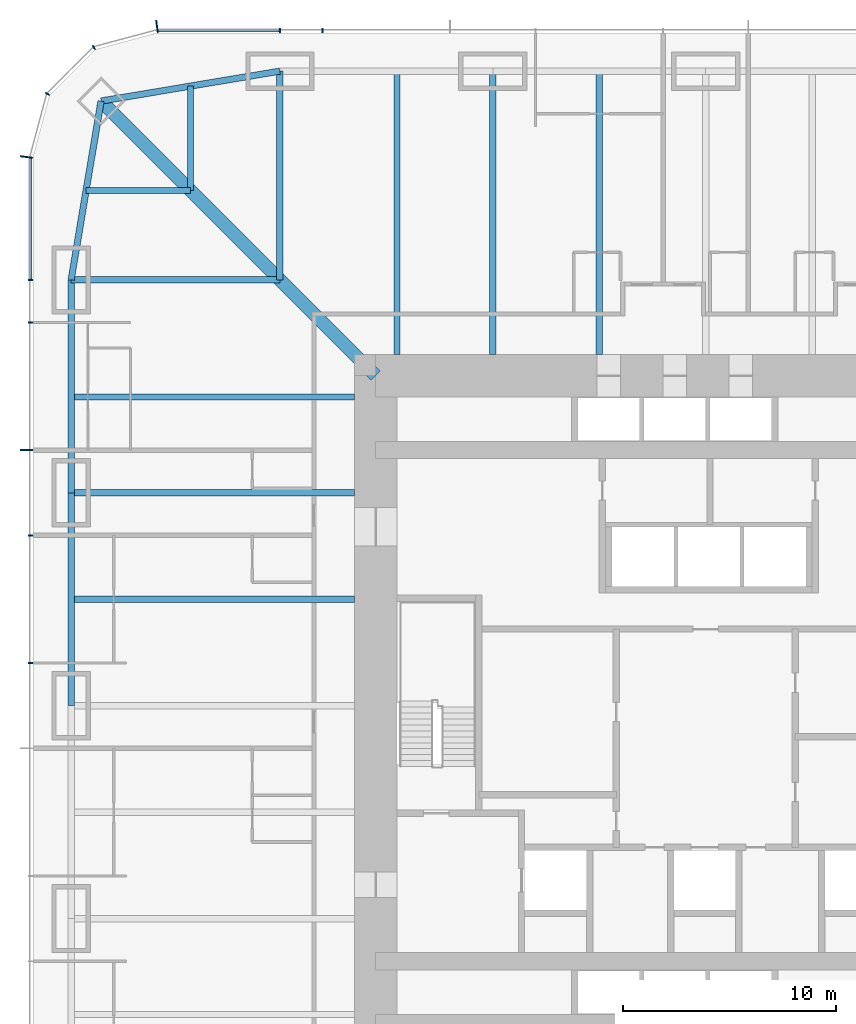
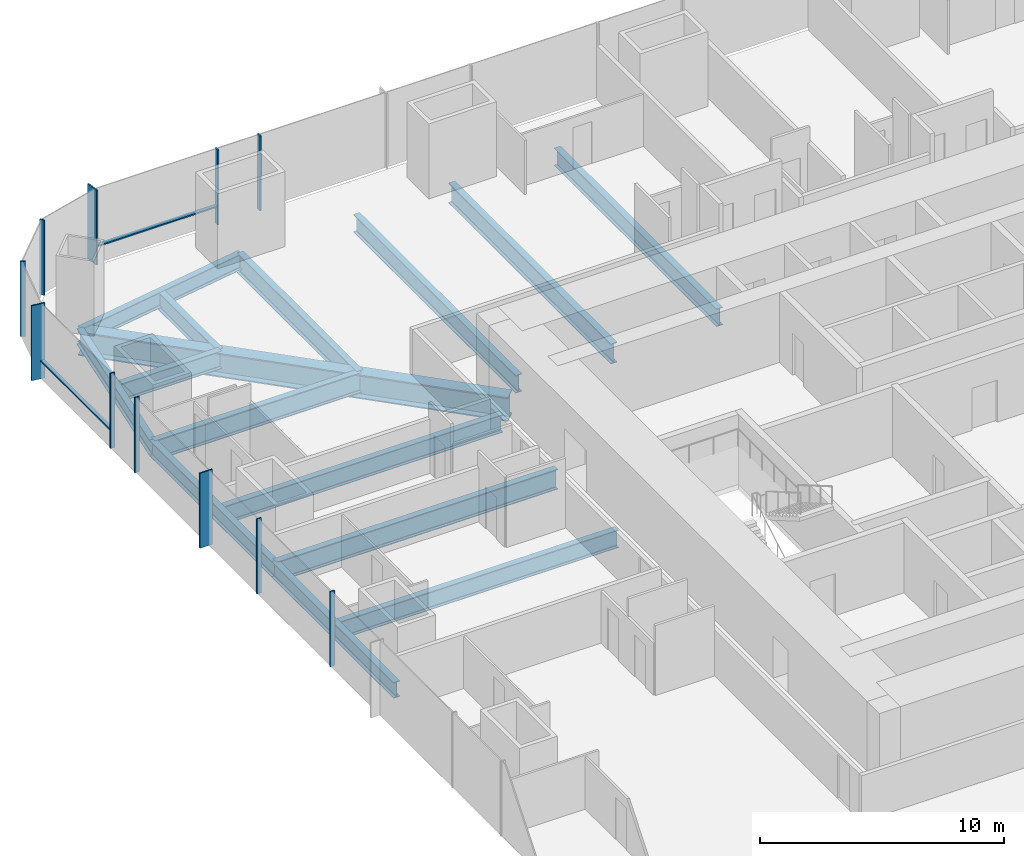
# One storey, part 6 of 17: 15 beams, 13 members, 3 elements without a shape of their own.
"""IFC4 building model written with IfcOpenShell, lengths in metres."""

from ifc_helpers import new_model, si_unit, direction, frame, origin, origin_2d, place, context, subcontext, project, spatial, rectangle, i_section, extrude, material, material_profile, profile_set, type_object, element, aggregate, save


model = new_model("IFC4")

# Units and contexts
model_context = context("Model", 3, precision=1e-05, world=origin(), true_north=direction((0.0, 1.0)))
body_context = subcontext(model_context, "Body", "Model", "MODEL_VIEW")
ifc_project = project(units=[si_unit("LENGTHUNIT", "METRE"), si_unit("AREAUNIT", "SQUARE_METRE"), si_unit("VOLUMEUNIT", "CUBIC_METRE"), si_unit("PLANEANGLEUNIT", "RADIAN"), si_unit("MASSUNIT", "GRAM", prefix="KILO")], contexts=[model_context])

# Site, building, storey
site_placement = place(None, origin())
site = spatial("IfcSite", under=ifc_project, at=site_placement, CompositionType="ELEMENT")
building_placement = place(site_placement, origin())
building = spatial("IfcBuilding", under=site, at=building_placement, Name="Khuree Lantern Residences", CompositionType="ELEMENT")
storey_placement = place(building_placement, frame((0.0, 0.0, 47.25)))
storey = spatial("IfcBuildingStorey", under=building, at=storey_placement, Name="L11", CompositionType="ELEMENT", Elevation=47.25)

# Beams
ifc_material_1 = material(Name="Steel S355", Category="steel")
ifc_material_profile_1 = material_profile(ifc_material_1, i_section(OverallWidth=0.300048828125, OverallDepth=0.889892578125, WebThickness=0.01611328125, FlangeThickness=0.030029296875, FilletRadius=0.030029296875, at=origin_2d()), Name="HE 900 A")
ifc_profile_set_1 = profile_set([ifc_material_profile_1], Name="Steel S355")
beam_type_1 = type_object("IfcBeamType", Name="B-12 SECONDARY BEAM HE 900 A", PredefinedType="BEAM", material=ifc_profile_set_1)
for number, where, z_axis, x_axis, name in (
    (1, (-14.5, 29.800048828125, -0.695068359375), (0.0, -1.0, 0.0), (1.0, 0.0, 0.0), "Secondary beam N1"),
    (2, (-5.0, 29.800048828125, -0.695068359375), (0.0, -1.0, 0.0), (1.0, 0.0, 0.0), "Secondary beam N2"),
    (3, (-29.800048828125, 5.0, -0.695068359375), (1.0, 0.0, 0.0), (0.0, 1.0, 0.0), "Secondary beam W4"),
    (4, (-29.800048828125, 14.5, -0.695068359375), (1.0, 0.0, 0.0), (0.0, 1.0, 0.0), "Secondary beam W5"),
):
    element("IfcBeam", number, at=place(storey_placement, frame(where, z_axis=z_axis, x_axis=x_axis)), inside=storey, type_object=beam_type_1, Name=name, PredefinedType="BEAM", context=body_context, shape_type="SweptSolid", body=[
        extrude(i_section(OverallWidth=0.300048828125, OverallDepth=0.889892578125, WebThickness=0.01611328125, FlangeThickness=0.030029296875, FilletRadius=0.030029296875, at=origin_2d()), origin(), (0.0, 0.0, 1.0), 13.300048828125),
    ])
for number, where, z_axis, x_axis, name in (
    (5, (-29.09716796875, 24.197021484375, -0.695068359375), (1.0, 0.0, 0.0), (0.0, 1.0, 0.0), "Secondary beam W6"),
    (6, (-24.197021484375, 29.09716796875, -0.695068359375), (0.0, -1.0, 0.0), (1.0, 0.0, 0.0), "Secondary beam N6"),
):
    element("IfcBeam", number, at=place(storey_placement, frame(where, z_axis=z_axis, x_axis=x_axis)), inside=storey, type_object=beam_type_1, Name=name, PredefinedType="BEAM", context=body_context, shape_type="SweptSolid", body=[
        extrude(i_section(OverallWidth=0.300048828125, OverallDepth=0.889892578125, WebThickness=0.01611328125, FlangeThickness=0.030029296875, FilletRadius=0.030029296875, at=origin_2d()), origin(), (0.0, 0.0, 1.0), 4.900146484375),
    ])
ifc_material_profile_2 = material_profile(ifc_material_1, i_section(OverallWidth=0.300048828125, OverallDepth=0.7900390625, WebThickness=0.014892578125, FlangeThickness=0.028076171875, FilletRadius=0.030029296875, at=origin_2d()), Name="HE 800 A")
ifc_profile_set_2 = profile_set([ifc_material_profile_2], Name="Steel S355")
beam_type_2 = type_object("IfcBeamType", Name="E-12 SPANDREL BEAM HE 800 A", PredefinedType="SPANDREL", material=ifc_profile_set_2)
for number, where, z_axis, x_axis, name in (
    (7, (-29.800048828125, 0.0, -0.64501953125), (0.0, 1.0, 0.0), (-1.0, 0.0, 0.0), "Spandrel beam W4"),
    (8, (-29.800048828125, 10.0, -0.64501953125), (0.0, 1.0, 0.0), (-1.0, 0.0, 0.0), "Spandrel beam W5"),
):
    element("IfcBeam", number, at=place(storey_placement, frame(where, z_axis=z_axis, x_axis=x_axis)), inside=storey, type_object=beam_type_2, Name=name, PredefinedType="SPANDREL", context=body_context, shape_type="SweptSolid", body=[
        extrude(i_section(OverallWidth=0.300048828125, OverallDepth=0.7900390625, WebThickness=0.014892578125, FlangeThickness=0.028076171875, FilletRadius=0.030029296875, at=origin_2d()), origin(), (0.0, 0.0, 1.0), 10.0),
    ])
for number, where, z_axis, x_axis, name in (
    (9, (-29.800048828125, 20.0, -0.64501953125), (0.165199022349, 0.986260251158, 0.0), (-0.986260251158, 0.165199022349, 0.0), "Spandrel beam W6"),
    (10, (-28.39404296875, 28.39404296875, -0.64501953125), (0.986260251158, 0.165199022349, 0.0), (-0.165199022349, 0.986260251158, 0.0), "Spandrel beam N6"),
):
    element("IfcBeam", number, at=place(storey_placement, frame(where, z_axis=z_axis, x_axis=x_axis)), inside=storey, type_object=beam_type_2, Name=name, PredefinedType="SPANDREL", context=body_context, shape_type="SweptSolid", body=[
        extrude(i_section(OverallWidth=0.300048828125, OverallDepth=0.7900390625, WebThickness=0.014892578125, FlangeThickness=0.028076171875, FilletRadius=0.030029296875, at=origin_2d()), origin(), (0.0, 0.0, 1.0), 8.510986328125),
    ])

# Curtain wall, member
ifc_material_2 = material(Name="Bronze anodised aluminium", Category="aluminium")
curtain_wall_type_1 = type_object("IfcCurtainWallType", Name="CW-T2 TOWER CORNER CURTAIN WALL", PredefinedType="USERDEFINED", material=ifc_material_2)
curtain_wall_1_placement = place(storey_placement, origin())
curtain_wall_1 = element("IfcCurtainWall", 11, at=curtain_wall_1_placement, inside=storey, type_object=curtain_wall_type_1, Name="L11 NORTH-WEST CORNER CURTAIN WALL", ObjectType="Faceted corner curtain wall", PredefinedType="USERDEFINED")
ifc_material_profile_3 = material_profile(ifc_material_2, rectangle(XDim=0.06494140625, YDim=0.60009765625, at=origin_2d()), Name="F1 65X600")
ifc_profile_set_3 = profile_set([ifc_material_profile_3], Name="Bronze anodised aluminium")
member_type_1 = type_object("IfcMemberType", Name="F1 BRONZE FIN MULLION TOWER 65X600", PredefinedType="MULLION", material=ifc_profile_set_3)
member_1_placement = place(storey_placement, frame((-25.769775390625, 31.900146484375, 0.0), z_axis=(0.0, 0.0, 1.0), x_axis=(-0.991444852794, -0.130526257387, 0.0)))
member_1 = element("IfcMember", 12, at=member_1_placement, type_object=member_type_1, Name="L11 NORTH-WEST CORNER FIN MULLION 29", PredefinedType="MULLION", context=body_context, shape_type="SweptSolid", body=[
    extrude(rectangle(XDim=0.06494140625, YDim=0.60009765625, at=origin_2d()), origin(), (0.0, 0.0, 1.0), 3.75),
])

# Curtain wall, members
curtain_wall_type_2 = type_object("IfcCurtainWallType", Name="CW-T1 TOWER FACE CURTAIN WALL", PredefinedType="USERDEFINED", material=ifc_material_2)
curtain_wall_2_placement = place(storey_placement, origin())
curtain_wall_2 = element("IfcCurtainWall", 13, at=curtain_wall_2_placement, inside=storey, type_object=curtain_wall_type_2, Name="L11 WEST FACE CURTAIN WALL", ObjectType="Stick-built curtain wall", PredefinedType="USERDEFINED")
member_2_placement = place(storey_placement, frame((-31.900146484375, 25.769775390625, 0.0), z_axis=(0.0, 0.0, 1.0), x_axis=(-0.130526257387, -0.991444852794, 0.0)))
member_2 = element("IfcMember", 14, at=member_2_placement, type_object=member_type_1, Name="L11 WEST FACE FIN MULLION 32", PredefinedType="MULLION", context=body_context, shape_type="SweptSolid", body=[
    extrude(rectangle(XDim=0.06494140625, YDim=0.60009765625, at=origin_2d()), origin(), (0.0, 0.0, 1.0), 3.75),
])
member_3_placement = place(storey_placement, frame((-31.89990234375, 12.0, 0.0), z_axis=(0.0, 0.0, 1.0), x_axis=(0.0, -1.0, 0.0)))
member_3 = element("IfcMember", 15, at=member_3_placement, type_object=member_type_1, Name="L11 WEST FACE FIN MULLION 35", PredefinedType="MULLION", context=body_context, shape_type="SweptSolid", body=[
    extrude(rectangle(XDim=0.06494140625, YDim=0.60009765625, at=origin_2d()), origin(), (0.0, 0.0, 1.0), 3.75),
])

# Beams
ifc_material_profile_4 = material_profile(ifc_material_1, i_section(OverallWidth=0.302001953125, OverallDepth=1.008056640625, WebThickness=0.02099609375, FlangeThickness=0.0400390625, FilletRadius=0.030029296875, at=origin_2d()), Name="HE 1000 M")
ifc_profile_set_4 = profile_set([ifc_material_profile_4], Name="Steel S355")
beam_type_3 = type_object("IfcBeamType", Name="G-12 GIRDER HE 1000 M", PredefinedType="BEAM", material=ifc_profile_set_4)
beam_1_placement = place(storey_placement, frame((-20.0, 29.800048828125, -0.75390625), z_axis=(0.0, -1.0, 0.0), x_axis=(1.0, 0.0, 0.0)))
element("IfcBeam", 16, at=beam_1_placement, inside=storey, type_object=beam_type_3, Name="Girder N1", PredefinedType="BEAM", context=body_context, shape_type="SweptSolid", body=[
    extrude(i_section(OverallWidth=0.302001953125, OverallDepth=1.008056640625, WebThickness=0.02099609375, FlangeThickness=0.0400390625, FilletRadius=0.030029296875, at=origin_2d()), origin(), (0.0, 0.0, 1.0), 9.800048828125),
])
for number, where, z_axis, x_axis, name in (
    (17, (-10.0, 29.800048828125, -0.75390625), (0.0, -1.0, 0.0), (1.0, 0.0, 0.0), "Girder N2"),
    (18, (-29.800048828125, 10.0, -0.75390625), (1.0, 0.0, 0.0), (0.0, 1.0, 0.0), "Girder W4"),
):
    element("IfcBeam", number, at=place(storey_placement, frame(where, z_axis=z_axis, x_axis=x_axis)), inside=storey, type_object=beam_type_3, Name=name, PredefinedType="BEAM", context=body_context, shape_type="SweptSolid", body=[
        extrude(i_section(OverallWidth=0.302001953125, OverallDepth=1.008056640625, WebThickness=0.02099609375, FlangeThickness=0.0400390625, FilletRadius=0.030029296875, at=origin_2d()), origin(), (0.0, 0.0, 1.0), 13.300048828125),
    ])
beam_2_placement = place(storey_placement, frame((-29.800048828125, 20.0, -0.75390625), z_axis=(1.0, 0.0, 0.0), x_axis=(0.0, 1.0, 0.0)))
element("IfcBeam", 19, at=beam_2_placement, inside=storey, type_object=beam_type_3, Name="Girder W5", PredefinedType="BEAM", context=body_context, shape_type="SweptSolid", body=[
    extrude(i_section(OverallWidth=0.302001953125, OverallDepth=1.008056640625, WebThickness=0.02099609375, FlangeThickness=0.0400390625, FilletRadius=0.030029296875, at=origin_2d()), origin(), (0.0, 0.0, 1.0), 9.800048828125),
])
ifc_material_profile_5 = material_profile(ifc_material_1, i_section(OverallWidth=0.60009765625, OverallDepth=1.199951171875, WebThickness=0.030029296875, FlangeThickness=0.06005859375, at=origin_2d()), Name="WELDED I 1200X600X30X60")
ifc_profile_set_5 = profile_set([ifc_material_profile_5], Name="Steel S355")
beam_type_4 = type_object("IfcBeamType", Name="GD-12 CORNER GIRDER WELDED I 1200X600X30X60", PredefinedType="BEAM", material=ifc_profile_set_5)
beam_3_placement = place(storey_placement, frame((-28.39404296875, 28.39404296875, -0.85009765625), z_axis=(0.707106781187, -0.707106781187, 0.0), x_axis=(0.707106781187, 0.707106781187, 0.0)))
element("IfcBeam", 20, at=beam_3_placement, inside=storey, type_object=beam_type_4, Name="Corner girder NW", PredefinedType="BEAM", context=body_context, shape_type="SweptSolid", body=[
    extrude(i_section(OverallWidth=0.60009765625, OverallDepth=1.199951171875, WebThickness=0.030029296875, FlangeThickness=0.06005859375, at=origin_2d()), origin(), (0.0, 0.0, 1.0), 18.23486328125),
])

# Curtain wall, members
curtain_wall_3_placement = place(storey_placement, origin())
curtain_wall_3 = element("IfcCurtainWall", 21, at=curtain_wall_3_placement, inside=storey, type_object=curtain_wall_type_2, Name="L11 NORTH FACE CURTAIN WALL", ObjectType="Stick-built curtain wall", PredefinedType="USERDEFINED")
ifc_material_profile_6 = material_profile(ifc_material_2, rectangle(XDim=0.06494140625, YDim=0.219970703125, at=origin_2d()), Name="M1 65X220")
ifc_profile_set_6 = profile_set([ifc_material_profile_6], Name="Bronze anodised aluminium")
member_type_2 = type_object("IfcMemberType", Name="M1 BRONZE MULLION TOWER 65X220", PredefinedType="MULLION", material=ifc_profile_set_6)
member_4_placement = place(storey_placement, frame((-18.0, 31.7099609375, 0.0), z_axis=(0.0, 0.0, 1.0), x_axis=(-1.0, 0.0, 0.0)))
member_4 = element("IfcMember", 22, at=member_4_placement, type_object=member_type_2, Name="L11 NORTH FACE MULLION 27", PredefinedType="MULLION", context=body_context, shape_type="SweptSolid", body=[
    extrude(rectangle(XDim=0.06494140625, YDim=0.219970703125, at=origin_2d()), origin(), (0.0, 0.0, 1.0), 3.75),
])
member_5_placement = place(storey_placement, frame((-20.0, 31.7099609375, 0.0), z_axis=(0.0, 0.0, 1.0), x_axis=(-1.0, 0.0, 0.0)))
member_5 = element("IfcMember", 23, at=member_5_placement, type_object=member_type_2, Name="L11 NORTH FACE MULLION 28", PredefinedType="MULLION", context=body_context, shape_type="SweptSolid", body=[
    extrude(rectangle(XDim=0.06494140625, YDim=0.219970703125, at=origin_2d()), origin(), (0.0, 0.0, 1.0), 3.75),
])

# Member
member_6_placement = place(storey_placement, frame((-28.72998046875, 30.91162109375, 0.0), z_axis=(0.0, 0.0, 1.0), x_axis=(-0.86602537092, -0.500000056923, 0.0)))
member_6 = element("IfcMember", 24, at=member_6_placement, type_object=member_type_2, Name="L11 NORTH-WEST CORNER MULLION 30", PredefinedType="MULLION", context=body_context, shape_type="SweptSolid", body=[
    extrude(rectangle(XDim=0.06494140625, YDim=0.219970703125, at=origin_2d()), origin(), (0.0, 0.0, 1.0), 3.75),
])

member_7_placement = place(storey_placement, frame((-30.91162109375, 28.72998046875, 0.0), z_axis=(0.0, 0.0, 1.0), x_axis=(-0.500000056923, -0.86602537092, 0.0)))
member_7 = element("IfcMember", 25, at=member_7_placement, type_object=member_type_2, Name="L11 NORTH-WEST CORNER MULLION 31", PredefinedType="MULLION", context=body_context, shape_type="SweptSolid", body=[
    extrude(rectangle(XDim=0.06494140625, YDim=0.219970703125, at=origin_2d()), origin(), (0.0, 0.0, 1.0), 3.75),
])

aggregate(curtain_wall_1, [member_1, member_6, member_7])

member_8_placement = place(storey_placement, frame((-31.7099609375, 20.0, 0.0), z_axis=(0.0, 0.0, 1.0), x_axis=(0.0, -1.0, 0.0)))
member_8 = element("IfcMember", 26, at=member_8_placement, type_object=member_type_2, Name="L11 WEST FACE MULLION 33", PredefinedType="MULLION", context=body_context, shape_type="SweptSolid", body=[
    extrude(rectangle(XDim=0.06494140625, YDim=0.219970703125, at=origin_2d()), origin(), (0.0, 0.0, 1.0), 3.75),
])

member_9_placement = place(storey_placement, frame((-31.7099609375, 18.0, 0.0), z_axis=(0.0, 0.0, 1.0), x_axis=(0.0, -1.0, 0.0)))
member_9 = element("IfcMember", 27, at=member_9_placement, type_object=member_type_2, Name="L11 WEST FACE MULLION 34", PredefinedType="MULLION", context=body_context, shape_type="SweptSolid", body=[
    extrude(rectangle(XDim=0.06494140625, YDim=0.219970703125, at=origin_2d()), origin(), (0.0, 0.0, 1.0), 3.75),
])

member_10_placement = place(storey_placement, frame((-31.7099609375, 8.0, 0.0), z_axis=(0.0, 0.0, 1.0), x_axis=(0.0, -1.0, 0.0)))
member_10 = element("IfcMember", 28, at=member_10_placement, type_object=member_type_2, Name="L11 WEST FACE MULLION 36", PredefinedType="MULLION", context=body_context, shape_type="SweptSolid", body=[
    extrude(rectangle(XDim=0.06494140625, YDim=0.219970703125, at=origin_2d()), origin(), (0.0, 0.0, 1.0), 3.75),
])

member_11_placement = place(storey_placement, frame((-31.7099609375, 2.0, 0.0), z_axis=(0.0, 0.0, 1.0), x_axis=(0.0, -1.0, 0.0)))
member_11 = element("IfcMember", 29, at=member_11_placement, type_object=member_type_2, Name="L11 WEST FACE MULLION 37", PredefinedType="MULLION", context=body_context, shape_type="SweptSolid", body=[
    extrude(rectangle(XDim=0.06494140625, YDim=0.219970703125, at=origin_2d()), origin(), (0.0, 0.0, 1.0), 3.75),
])

ifc_material_profile_7 = material_profile(ifc_material_2, rectangle(XDim=0.179931640625, YDim=0.06494140625, at=origin_2d()), Name="T1 180X65")
ifc_profile_set_7 = profile_set([ifc_material_profile_7], Name="Bronze anodised aluminium")
member_type_3 = type_object("IfcMemberType", Name="TRANSOM T1 TOWER 180X65", PredefinedType="USERDEFINED", material=ifc_profile_set_7)
member_12_placement = place(storey_placement, frame((-20.032470703125, 31.719970703125, 0.89990234375), z_axis=(-1.0, 0.0, 0.0), x_axis=(0.0, -1.0, 0.0)))
member_12 = element("IfcMember", 30, at=member_12_placement, type_object=member_type_3, Name="L11 NORTH FACE TRANSOM 28.1", ObjectType="Transom", PredefinedType="USERDEFINED", context=body_context, shape_type="SweptSolid", body=[
    extrude(rectangle(XDim=0.179931640625, YDim=0.06494140625, at=origin_2d()), origin(), (0.0, 0.0, 1.0), 5.6689453125),
])

aggregate(curtain_wall_3, [member_4, member_5, member_12])

member_13_placement = place(storey_placement, frame((-31.719970703125, 25.701416015625, 0.89990234375), z_axis=(0.0, -1.0, 0.0), x_axis=(1.0, 0.0, 0.0)))
member_13 = element("IfcMember", 31, at=member_13_placement, type_object=member_type_3, Name="L11 WEST FACE TRANSOM 32.1", ObjectType="Transom", PredefinedType="USERDEFINED", context=body_context, shape_type="SweptSolid", body=[
    extrude(rectangle(XDim=0.179931640625, YDim=0.06494140625, at=origin_2d()), origin(), (0.0, 0.0, 1.0), 5.6689453125),
])

aggregate(curtain_wall_2, [member_2, member_8, member_9, member_3, member_10, member_11, member_13])

save(model, "model.ifc")
